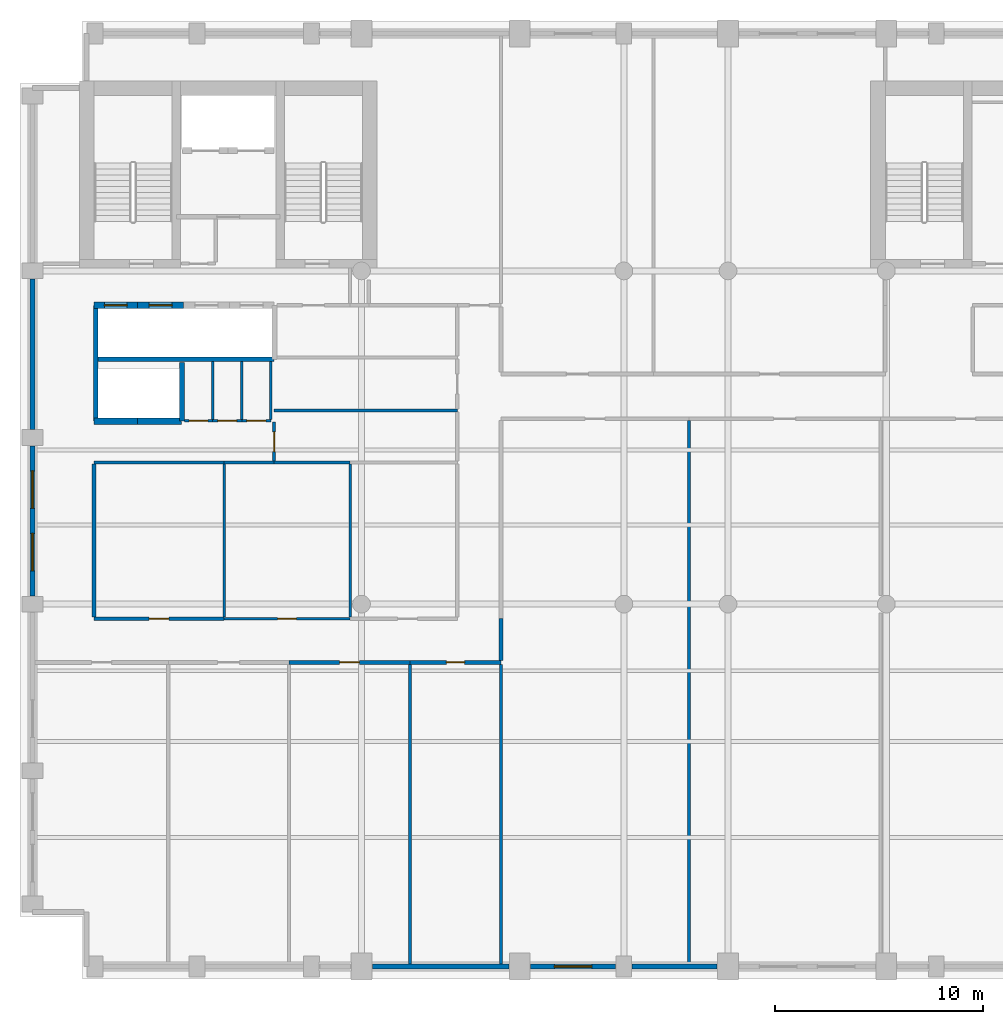
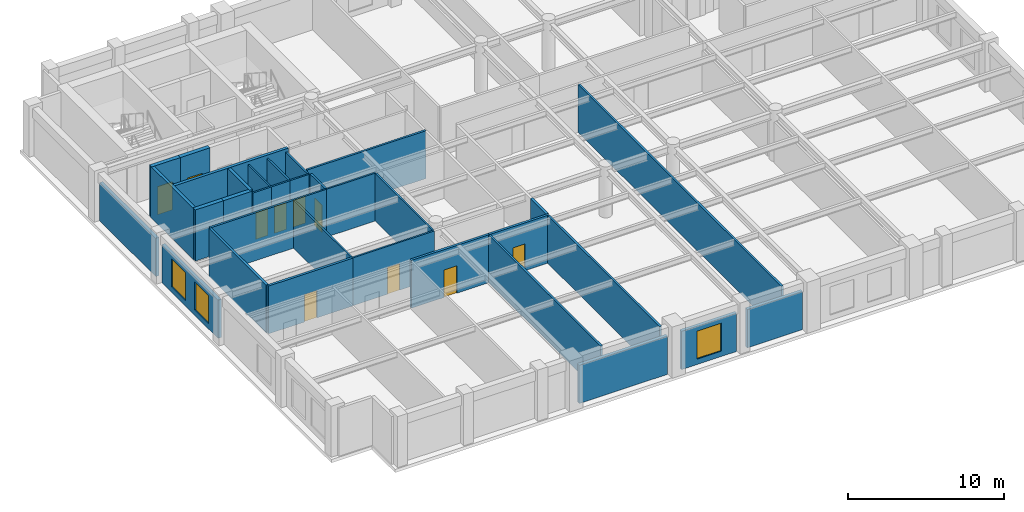
# One storey, part 3 of 8: 34 walls, 10 doors, 3 windows, 13 openings.
"""IFC4 building model written with IfcOpenShell, lengths in metres."""

import ifcopenshell
import ifcopenshell.guid

model = None  # the IFC model being written
_history = None  # IfcOwnerHistory: only IFC2X3 demands one
_inside = {}  # id of a spatial element -> (the spatial element, [elements in it])
_under = {}  # id of a project, library or spatial element -> (it, [spatial elements below it])
_declared = {}  # id of a project -> (the project, [libraries it declares])
_typed = {}  # id of a type object -> (the type object, [elements of that type])
_made_of = {}  # id of a material, layer set ... -> (it, [elements and type objects made of it])


def new_model(schema):
    """Start an empty IFC model of exactly this schema.

    Asked for "IFC4X3", IfcOpenShell would pick the latest addendum, in which some entities
    have other attributes; the version numbers below select the first issue.
    IFC2X3 requires an IfcOwnerHistory on every rooted entity: one is made here for all.
    """
    global model, _history
    if schema == "IFC4X3":
        model = ifcopenshell.file(schema_version=(4, 3, 0, 0))
    else:
        model = ifcopenshell.file(schema=schema)
    _inside.clear()
    _under.clear()
    _declared.clear()
    _typed.clear()
    _made_of.clear()
    _history = None
    if model.schema == "IFC2X3":
        org = make("IfcOrganization", Name="unknown")
        user = make(
            "IfcPersonAndOrganization",
            ThePerson=make("IfcPerson", FamilyName="unknown"),
            TheOrganization=org,
        )
        app = make(
            "IfcApplication",
            ApplicationDeveloper=org,
            Version="unknown",
            ApplicationFullName="unknown",
            ApplicationIdentifier="unknown",
        )
        _history = make(
            "IfcOwnerHistory",
            OwningUser=user,
            OwningApplication=app,
            ChangeAction="ADDED",
            CreationDate=0,
        )
    return model


def make(cls, **values):
    """One entity of the class cls with the attributes given. An attribute that is None is left unset."""
    return model.create_entity(
        cls, **{name: value for name, value in values.items() if value is not None}
    )


def rooted(cls, **values):
    """An entity with a GlobalId (a new one), such as an element, a storey or a relation."""
    return make(cls, GlobalId=ifcopenshell.guid.new(), OwnerHistory=_history, **values)


def si_unit(unit_type, name, prefix=None):
    """IfcSIUnit, for example si_unit("LENGTHUNIT", "METRE", prefix="MILLI")."""
    return make("IfcSIUnit", UnitType=unit_type, Prefix=prefix, Name=name)


def assignment(units):
    """IfcUnitAssignment: the units of a project."""
    return None if units is None else make("IfcUnitAssignment", Units=units)


def point(xyz):
    """IfcCartesianPoint."""
    return None if xyz is None else make("IfcCartesianPoint", Coordinates=xyz)


def direction(xyz):
    """IfcDirection."""
    return None if xyz is None else make("IfcDirection", DirectionRatios=xyz)


def frame(location, z_axis=None, x_axis=None):
    """IfcAxis2Placement3D, a coordinate frame: its origin and axes. An axis left out is left unset."""
    return make(
        "IfcAxis2Placement3D",
        Location=point(location),
        Axis=direction(z_axis),
        RefDirection=direction(x_axis),
    )


def frame_2d(location, x_axis=None):
    """IfcAxis2Placement2D, a coordinate frame in the plane: its origin and x axis."""
    return make(
        "IfcAxis2Placement2D", Location=point(location), RefDirection=direction(x_axis)
    )


def origin():
    """The frame at (0, 0, 0) with its axes left unset."""
    return frame((0.0, 0.0, 0.0))


def place(relative_to, where):
    """IfcLocalPlacement: puts the frame where relative to a parent placement (None: the world)."""
    return make(
        "IfcLocalPlacement", PlacementRelTo=relative_to, RelativePlacement=where
    )


def context(
    kind, dimensions, precision=None, world=None, true_north=None, identifier=None
):
    """IfcGeometricRepresentationContext, for example the 3D "Model" context."""
    return make(
        "IfcGeometricRepresentationContext",
        ContextIdentifier=identifier,
        ContextType=kind,
        CoordinateSpaceDimension=dimensions,
        Precision=precision,
        WorldCoordinateSystem=world,
        TrueNorth=true_north,
    )


def subcontext(parent, identifier, kind, view, scale=None):
    """IfcGeometricRepresentationSubContext, for example "Body" below "Model"."""
    return make(
        "IfcGeometricRepresentationSubContext",
        ContextIdentifier=identifier,
        ContextType=kind,
        ParentContext=parent,
        TargetScale=scale,
        TargetView=view,
    )


def project(units=None, contexts=None):
    """IfcProject with its units and contexts."""
    return rooted(
        "IfcProject",
        Name="project",
        RepresentationContexts=contexts,
        UnitsInContext=assignment(units),
    )


def spatial(cls, under=None, at=None, **own):
    """A site, building, storey or space (cls), placed at a placement, below another one or the project."""
    s = rooted(cls, ObjectPlacement=at, **own)
    if under is not None:
        _under.setdefault(under.id(), (under, []))[1].append(s)
    return s


def profile(cls, at=None, kind="AREA", **sizes):
    """A parametric profile (cls). Its sizes go by their IFC names, for example OverallWidth=200.0."""
    return make(cls, ProfileType=kind, Position=at, **sizes)


def rectangle(**sizes):
    """IfcRectangleProfileDef."""
    return profile("IfcRectangleProfileDef", **sizes)


def extrude(swept, where, along, depth):
    """IfcExtrudedAreaSolid: the profile swept, set in the frame where, extruded along a direction by depth."""
    return make(
        "IfcExtrudedAreaSolid",
        SweptArea=swept,
        Position=where,
        ExtrudedDirection=direction(along),
        Depth=depth,
    )


def shape(context_of_items, identifier, shape_type, items):
    """IfcShapeRepresentation: the items that make up one representation, for example the "Body"."""
    return make(
        "IfcShapeRepresentation",
        ContextOfItems=context_of_items,
        RepresentationIdentifier=identifier,
        RepresentationType=shape_type,
        Items=items,
    )


def material(Name=None, Category=None):
    """IfcMaterial."""
    return make("IfcMaterial", Name=Name, Category=Category)


def layer(
    of_material, thickness, ventilated=None, Name=None, Category=None, Priority=None
):
    """IfcMaterialLayer: one layer of a wall or slab, of a material (None: an air gap)."""
    return make(
        "IfcMaterialLayer",
        Material=of_material,
        LayerThickness=thickness,
        IsVentilated=ventilated,
        Name=Name,
        Category=Category,
        Priority=Priority,
    )


def layer_set(layers, Name=None):
    """IfcMaterialLayerSet."""
    return make("IfcMaterialLayerSet", MaterialLayers=layers, LayerSetName=Name)


def made_of(thing, what):
    """Note that an element or type object is made of a material, layer set ...; save() writes the relation."""
    if what is not None:
        _made_of.setdefault(what.id(), (what, []))[1].append(thing)
    return thing


def type_object(cls, material=None, **own):
    """A type object (cls), such as IfcWallType, which elements share."""
    return made_of(rooted(cls, **own), material)


def element(
    cls,
    number,
    at=None,
    inside=None,
    cuts=None,
    type_object=None,
    material=None,
    context=None,
    identifier="Body",
    shape_type=None,
    held_by="IfcProductDefinitionShape",
    body=None,
    shapes=None,
    **own,
):
    """One element of the class cls, such as IfcWall. Its Tag is "e" and its number.

    at: its placement. inside: the storey or other place that contains it. cuts: it is an
    opening in that element (IfcRelVoidsElement). A single representation is given by context,
    identifier, shape_type and body (its items); several are given by shapes. held_by: the class
    of the entity that holds the representations. save() writes the other relations.
    """
    e = rooted(cls, Tag="e%d" % number, ObjectPlacement=at, **own)
    if body is not None:
        shapes = [shape(context, identifier, shape_type, body)]
    if shapes is not None:
        e.Representation = make(held_by, Representations=shapes)
    if inside is not None:
        _inside.setdefault(inside.id(), (inside, []))[1].append(e)
    if cuts is not None:
        rooted(
            "IfcRelVoidsElement", RelatingBuildingElement=cuts, RelatedOpeningElement=e
        )
    if type_object is not None:
        _typed.setdefault(type_object.id(), (type_object, []))[1].append(e)
    return made_of(e, material)


def fill(opening, filler):
    """IfcRelFillsElement: the door or window that sits in an opening."""
    return rooted(
        "IfcRelFillsElement",
        RelatingOpeningElement=opening,
        RelatedBuildingElement=filler,
    )


def aggregate(whole, parts):
    """IfcRelAggregates: a whole, such as a stair, and the parts it consists of."""
    return rooted("IfcRelAggregates", RelatingObject=whole, RelatedObjects=parts)


def save(model, path):
    """Write the relations noted so far, then the file.

    IfcRelAggregates (storeys below a building ...), IfcRelContainedInSpatialStructure (elements
    in a storey), IfcRelDefinesByType, IfcRelAssociatesMaterial and IfcRelDeclares: one each for
    every whole, place, type object, material and project.
    """
    for whole, parts in _under.values():
        aggregate(whole, parts)
    for where, things in _inside.values():
        rooted(
            "IfcRelContainedInSpatialStructure",
            RelatedElements=things,
            RelatingStructure=where,
        )
    for kind, things in _typed.values():
        rooted("IfcRelDefinesByType", RelatedObjects=things, RelatingType=kind)
    for what, things in _made_of.values():
        rooted("IfcRelAssociatesMaterial", RelatedObjects=things, RelatingMaterial=what)
    for by, libraries in _declared.values():
        rooted("IfcRelDeclares", RelatingContext=by, RelatedDefinitions=libraries)
    model.write(path)


model = new_model("IFC4")

# Units and contexts
model_context = context("Model", 3, precision=1e-05, world=origin(), true_north=direction((0.0, 1.0)))
body_context = subcontext(model_context, "Body", "Model", "MODEL_VIEW")
ifc_project = project(units=[si_unit("LENGTHUNIT", "METRE"), si_unit("AREAUNIT", "SQUARE_METRE"), si_unit("VOLUMEUNIT", "CUBIC_METRE"), si_unit("PLANEANGLEUNIT", "RADIAN"), si_unit("MASSUNIT", "GRAM", prefix="KILO")], contexts=[model_context])

# Site, building, storey
site_placement = place(None, origin())
site = spatial("IfcSite", under=ifc_project, at=site_placement, CompositionType="ELEMENT")
building_placement = place(site_placement, origin())
building = spatial("IfcBuilding", under=site, at=building_placement, Name="Sulina Concourse Tower", CompositionType="ELEMENT")
storey_placement = place(building_placement, frame((0.0, 0.0, 248.60009765625)))
storey = spatial("IfcBuildingStorey", under=building, at=storey_placement, Name="L60", CompositionType="ELEMENT", Elevation=248.60009765625)

# Walls
ifc_material_1 = material(Name="Concrete C50/60", Category="concrete")
ifc_layer_1 = layer(ifc_material_1, 0.219970703125)
ifc_layer_set_1 = layer_set([ifc_layer_1], Name="Concrete C50/60")
wall_type_1 = type_object("IfcWallType", Name="Core Lift Hoistway Divider Wall 220mm", PredefinedType="SOLIDWALL", material=ifc_layer_set_1)
wall_1_placement = place(storey_placement, frame((3.550048828125, 29.75, 0.0), z_axis=(0.0, 0.0, 1.0), x_axis=(1.0, 0.0, 0.0)))
element("IfcWall", 1, at=wall_1_placement, inside=storey, type_object=wall_type_1, Name="L60 shaft divider wall HW-LP3-S", PredefinedType="SOLIDWALL", context=body_context, shape_type="SweptSolid", body=[
    extrude(rectangle(XDim=8.64990234375, YDim=0.219970703125, at=frame_2d((4.324951171875, 0.0))), origin(), (0.0, 0.0, 1.0), 4.0),
])
wall_2_placement = place(storey_placement, frame((3.6298828125, 26.800048828125, 0.0), z_axis=(0.0, 0.0, 1.0), x_axis=(0.0, 1.0, 0.0)))
element("IfcWall", 2, at=wall_2_placement, inside=storey, type_object=wall_type_1, Name="L60 shaft divider wall HW-LP3-W", PredefinedType="SOLIDWALL", context=body_context, shape_type="SweptSolid", body=[
    extrude(rectangle(XDim=5.550048828125, YDim=0.219970703125, at=frame_2d((2.77490234375, 0.0))), origin(), (0.0, 0.0, 1.0), 4.0),
])
wall_3_placement = place(storey_placement, frame((7.780029296875, 26.800048828125, 0.0), z_axis=(0.0, 0.0, 1.0), x_axis=(0.0, 1.0, 0.0)))
element("IfcWall", 3, at=wall_3_placement, inside=storey, type_object=wall_type_1, Name="L60 shaft divider wall HW-EXP-E", PredefinedType="SOLIDWALL", context=body_context, shape_type="SweptSolid", body=[
    extrude(rectangle(XDim=2.800048828125, YDim=0.219970703125, at=frame_2d((1.39990234375, 0.0))), origin(), (0.0, 0.0, 1.0), 4.0),
])

# Wall, opening, door
ifc_material_2 = material(Name="Concrete C50/60", Category="concrete")
ifc_layer_2 = layer(ifc_material_2, 0.300048828125)
ifc_layer_set_2 = layer_set([ifc_layer_2], Name="Concrete C50/60")
wall_type_2 = type_object("IfcWallType", Name="Core Lift Hoistway Wall 300mm", PredefinedType="SOLIDWALL", material=ifc_layer_set_2)
wall_4_placement = place(storey_placement, frame((3.550048828125, 32.35009765625, 0.0), z_axis=(0.0, 0.0, 1.0), x_axis=(1.0, 0.0, 0.0)))
wall_4 = element("IfcWall", 4, at=wall_4_placement, inside=storey, type_object=wall_type_2, Name="L60 hoistway enclosure wall LP-09", PredefinedType="SOLIDWALL", context=body_context, shape_type="SweptSolid", body=[
    extrude(rectangle(XDim=2.099853515625, YDim=0.300048828125, at=frame_2d((1.0498046875, 0.0))), origin(), (0.0, 0.0, 1.0), 4.0),
])
opening_1_placement = place(wall_4_placement, frame((0.5, 0.0, 0.0)))
opening_1 = element("IfcOpeningElement", 5, at=opening_1_placement, cuts=wall_4, Name="Opening LD-01", PredefinedType="OPENING", context=body_context, shape_type="SweptSolid", body=[
    extrude(rectangle(XDim=1.10009765625, YDim=2.199951171875, at=frame_2d((0.550048828125, 1.10009765625))), frame((0.0, 0.159912109375, 0.0), z_axis=(0.0, -1.0, 0.0), x_axis=(1.0, 0.0, 0.0)), (0.0, 0.0, 1.0), 0.320068359375),
])
ifc_material_3 = material(Name="Stainless steel lift landing door", Category="steel")
ifc_layer_3 = layer(ifc_material_3, 0.050048828125)
ifc_layer_set_3 = layer_set([ifc_layer_3], Name="Stainless steel lift landing door")
door_type_1 = type_object("IfcDoorType", Name="Passenger Lift Sliding Landing Door 1100x2200", OperationType="SLIDING_TO_LEFT", PredefinedType="DOOR", material=ifc_layer_set_3)
door_1_placement = place(opening_1_placement, origin())
door_1 = element("IfcDoor", 6, at=door_1_placement, inside=storey, type_object=door_type_1, Name="L60 lift landing sliding door LP-09", OperationType="SLIDING_TO_LEFT", OverallHeight=2.199951171875, OverallWidth=1.10009765625, PredefinedType="DOOR", context=body_context, shape_type="SweptSolid", body=[
    extrude(rectangle(XDim=1.10009765625, YDim=2.199951171875, at=frame_2d((0.550048828125, 1.10009765625))), frame((0.0, 0.02490234375, 0.0), z_axis=(0.0, -1.0, 0.0), x_axis=(1.0, 0.0, 0.0)), (0.0, 0.0, 1.0), 0.050048828125),
])
fill(opening_1, door_1)

wall_5_placement = place(storey_placement, frame((5.64990234375, 32.35009765625, 0.0), z_axis=(0.0, 0.0, 1.0), x_axis=(1.0, 0.0, 0.0)))
wall_5 = element("IfcWall", 7, at=wall_5_placement, inside=storey, type_object=wall_type_2, Name="L60 hoistway enclosure wall LP-10", PredefinedType="SOLIDWALL", context=body_context, shape_type="SweptSolid", body=[
    extrude(rectangle(XDim=2.2001953125, YDim=0.300048828125, at=frame_2d((1.10009765625, 0.0))), origin(), (0.0, 0.0, 1.0), 4.0),
])
opening_2_placement = place(wall_5_placement, frame((0.550048828125, 0.0, 0.0)))
opening_2 = element("IfcOpeningElement", 8, at=opening_2_placement, cuts=wall_5, Name="Opening LD-01", PredefinedType="OPENING", context=body_context, shape_type="SweptSolid", body=[
    extrude(rectangle(XDim=1.10009765625, YDim=2.199951171875, at=frame_2d((0.550048828125, 1.10009765625))), frame((0.0, 0.159912109375, 0.0), z_axis=(0.0, -1.0, 0.0), x_axis=(1.0, 0.0, 0.0)), (0.0, 0.0, 1.0), 0.320068359375),
])
door_2_placement = place(opening_2_placement, origin())
door_2 = element("IfcDoor", 9, at=door_2_placement, inside=storey, type_object=door_type_1, Name="L60 lift landing sliding door LP-10", OperationType="SLIDING_TO_RIGHT", OverallHeight=2.199951171875, OverallWidth=1.10009765625, PredefinedType="DOOR", context=body_context, shape_type="SweptSolid", body=[
    extrude(rectangle(XDim=1.10009765625, YDim=2.199951171875, at=frame_2d((0.550048828125, 1.10009765625))), frame((0.0, 0.02490234375, 0.0), z_axis=(0.0, -1.0, 0.0), x_axis=(1.0, 0.0, 0.0)), (0.0, 0.0, 1.0), 0.050048828125),
])
fill(opening_2, door_2)

# Walls
wall_6_placement = place(storey_placement, frame((5.64990234375, 26.780029296875, 0.0), z_axis=(0.0, 0.0, 1.0), x_axis=(-1.0, 0.0, 0.0)))
element("IfcWall", 10, at=wall_6_placement, inside=storey, type_object=wall_type_2, Name="L60 hoistway enclosure wall EXP-1", PredefinedType="SOLIDWALL", context=body_context, shape_type="SweptSolid", body=[
    extrude(rectangle(XDim=2.099853515625, YDim=0.300048828125, at=frame_2d((1.0498046875, 0.0))), origin(), (0.0, 0.0, 1.0), 4.0),
])
wall_7_placement = place(storey_placement, frame((7.75, 26.780029296875, 0.0), z_axis=(0.0, 0.0, 1.0), x_axis=(-1.0, 0.0, 0.0)))
element("IfcWall", 11, at=wall_7_placement, inside=storey, type_object=wall_type_2, Name="L60 hoistway enclosure wall EXP-2", PredefinedType="SOLIDWALL", context=body_context, shape_type="SweptSolid", body=[
    extrude(rectangle(XDim=2.10009765625, YDim=0.300048828125, at=frame_2d((1.050048828125, 0.0))), origin(), (0.0, 0.0, 1.0), 4.0),
])
ifc_material_4 = material(Name="Precast concrete C50/60", Category="concrete")
ifc_layer_4 = layer(ifc_material_4, 0.239990234375)
ifc_layer_set_4 = layer_set([ifc_layer_4], Name="Precast concrete C50/60")
wall_type_3 = type_object("IfcWallType", Name="Crown Precast Masonry-Frame Facade Wall 240mm", PredefinedType="SOLIDWALL", material=ifc_layer_set_4)
wall_8_placement = place(storey_placement, frame((23.47998046875, 0.60009765625, 0.0), z_axis=(0.0, 0.0, 1.0), x_axis=(-1.0, 0.0, 0.0)))
element("IfcWall", 12, at=wall_8_placement, inside=storey, type_object=wall_type_3, Name="L60 exterior precast wall S4", PredefinedType="SOLIDWALL", context=body_context, shape_type="SweptSolid", body=[
    extrude(rectangle(XDim=6.56005859375, YDim=0.239990234375, at=frame_2d((3.280029296875, 0.0))), origin(), (0.0, 0.0, 1.0), 3.0),
])

# Wall, opening, window
wall_9_placement = place(storey_placement, frame((28.60498046875, 0.60009765625, 0.0), z_axis=(0.0, 0.0, 1.0), x_axis=(-1.0, 0.0, 0.0)))
wall_9 = element("IfcWall", 13, at=wall_9_placement, inside=storey, type_object=wall_type_3, Name="L60 exterior precast wall S5", PredefinedType="SOLIDWALL", context=body_context, shape_type="SweptSolid", body=[
    extrude(rectangle(XDim=4.0849609375, YDim=0.239990234375, at=frame_2d((2.04248046875, 0.0))), origin(), (0.0, 0.0, 1.0), 3.0),
])
opening_3_placement = place(wall_9_placement, frame((1.142578125, 0.0, 0.419921875)))
opening_3 = element("IfcOpeningElement", 14, at=opening_3_placement, cuts=wall_9, Name="Opening WN-25", PredefinedType="OPENING", context=body_context, shape_type="SweptSolid", body=[
    extrude(rectangle(XDim=1.800048828125, YDim=2.199951171875, at=frame_2d((0.89990234375, 1.10009765625))), frame((0.0, 0.1298828125, 0.0), z_axis=(0.0, -1.0, 0.0), x_axis=(1.0, 0.0, 0.0)), (0.0, 0.0, 1.0), 0.260009765625),
])
ifc_material_5 = material(Name="Low-E solar double glazing in bronze aluminium", Category="aluminium")
window_type = type_object("IfcWindowType", Name="Punched Masonry-Frame Window 1800x2200", PartitioningType="SINGLE_PANEL", PredefinedType="WINDOW", material=ifc_material_5)
window_1_placement = place(opening_3_placement, origin())
window_1 = element("IfcWindow", 15, at=window_1_placement, inside=storey, type_object=window_type, Name="L60 punched window S5-1", OverallHeight=2.199951171875, OverallWidth=1.800048828125, PartitioningType="SINGLE_PANEL", PredefinedType="WINDOW", context=body_context, shape_type="SweptSolid", body=[
    extrude(rectangle(XDim=1.800048828125, YDim=2.199951171875, at=frame_2d((0.89990234375, 1.10009765625))), frame((0.0, 0.030029296875, 0.0), z_axis=(0.0, -1.0, 0.0), x_axis=(1.0, 0.0, 0.0)), (0.0, 0.0, 1.0), 0.06005859375),
])
fill(opening_3, window_1)

# Wall
wall_10_placement = place(storey_placement, frame((33.47998046875, 0.60009765625, 0.0), z_axis=(0.0, 0.0, 1.0), x_axis=(-1.0, 0.0, 0.0)))
element("IfcWall", 16, at=wall_10_placement, inside=storey, type_object=wall_type_3, Name="L60 exterior precast wall S6", PredefinedType="SOLIDWALL", context=body_context, shape_type="SweptSolid", body=[
    extrude(rectangle(XDim=4.0849609375, YDim=0.239990234375, at=frame_2d((2.04248046875, 0.0))), origin(), (0.0, 0.0, 1.0), 3.0),
])

# Wall, openings, windows
wall_11_placement = place(storey_placement, frame((0.60009765625, 18.39501953125, 0.0), z_axis=(0.0, 0.0, 1.0), x_axis=(0.0, 1.0, 0.0)))
wall_11 = element("IfcWall", 17, at=wall_11_placement, inside=storey, type_object=wall_type_3, Name="L60 exterior precast wall W3", PredefinedType="SOLIDWALL", context=body_context, shape_type="SweptSolid", body=[
    extrude(rectangle(XDim=7.2099609375, YDim=0.239990234375, at=frame_2d((3.60498046875, 0.0))), origin(), (0.0, 0.0, 1.0), 3.0),
])
opening_4_placement = place(wall_11_placement, frame((1.203369140625, 0.0, 0.419921875)))
opening_4 = element("IfcOpeningElement", 18, at=opening_4_placement, cuts=wall_11, Name="Opening WN-25", PredefinedType="OPENING", context=body_context, shape_type="SweptSolid", body=[
    extrude(rectangle(XDim=1.800048828125, YDim=2.199951171875, at=frame_2d((0.89990234375, 1.10009765625))), frame((0.0, 0.1298828125, 0.0), z_axis=(0.0, -1.0, 0.0), x_axis=(1.0, 0.0, 0.0)), (0.0, 0.0, 1.0), 0.260009765625),
])
opening_5_placement = place(wall_11_placement, frame((4.206787109375, 0.0, 0.419921875)))
opening_5 = element("IfcOpeningElement", 19, at=opening_5_placement, cuts=wall_11, Name="Opening WN-25", PredefinedType="OPENING", context=body_context, shape_type="SweptSolid", body=[
    extrude(rectangle(XDim=1.800048828125, YDim=2.199951171875, at=frame_2d((0.89990234375, 1.10009765625))), frame((0.0, 0.1298828125, 0.0), z_axis=(0.0, -1.0, 0.0), x_axis=(1.0, 0.0, 0.0)), (0.0, 0.0, 1.0), 0.260009765625),
])
window_2_placement = place(opening_4_placement, origin())
window_2 = element("IfcWindow", 20, at=window_2_placement, inside=storey, type_object=window_type, Name="L60 punched window W3-1", OverallHeight=2.199951171875, OverallWidth=1.800048828125, PartitioningType="SINGLE_PANEL", PredefinedType="WINDOW", context=body_context, shape_type="SweptSolid", body=[
    extrude(rectangle(XDim=1.800048828125, YDim=2.199951171875, at=frame_2d((0.89990234375, 1.10009765625))), frame((0.0, 0.030029296875, 0.0), z_axis=(0.0, -1.0, 0.0), x_axis=(1.0, 0.0, 0.0)), (0.0, 0.0, 1.0), 0.06005859375),
])
fill(opening_4, window_2)
window_3_placement = place(opening_5_placement, origin())
window_3 = element("IfcWindow", 21, at=window_3_placement, inside=storey, type_object=window_type, Name="L60 punched window W3-2", OverallHeight=2.199951171875, OverallWidth=1.800048828125, PartitioningType="SINGLE_PANEL", PredefinedType="WINDOW", context=body_context, shape_type="SweptSolid", body=[
    extrude(rectangle(XDim=1.800048828125, YDim=2.199951171875, at=frame_2d((0.89990234375, 1.10009765625))), frame((0.0, 0.030029296875, 0.0), z_axis=(0.0, -1.0, 0.0), x_axis=(1.0, 0.0, 0.0)), (0.0, 0.0, 1.0), 0.06005859375),
])
fill(opening_5, window_3)

# Walls
wall_12_placement = place(storey_placement, frame((0.60009765625, 26.39501953125, 0.0), z_axis=(0.0, 0.0, 1.0), x_axis=(0.0, 1.0, 0.0)))
element("IfcWall", 22, at=wall_12_placement, inside=storey, type_object=wall_type_3, Name="L60 exterior precast wall W4", PredefinedType="SOLIDWALL", context=body_context, shape_type="SweptSolid", body=[
    extrude(rectangle(XDim=7.2099609375, YDim=0.239990234375, at=frame_2d((3.60498046875, 0.0))), origin(), (0.0, 0.0, 1.0), 3.0),
])
ifc_material_6 = material(Name="Gypsum board on steel stud", Category="steel")
ifc_layer_5 = layer(ifc_material_6, 0.14990234375)
ifc_layer_set_5 = layer_set([ifc_layer_5], Name="Gypsum board on steel stud")
wall_type_4 = type_object("IfcWallType", Name="Inter-Tenancy Acoustic Partition 150mm", PredefinedType="PARTITIONING", material=ifc_layer_set_5)
wall_13_placement = place(storey_placement, frame((3.550048828125, 24.800048828125, 0.0), z_axis=(0.0, 0.0, 1.0), x_axis=(1.0, 0.0, 0.0)))
element("IfcWall", 23, at=wall_13_placement, inside=storey, type_object=wall_type_4, Name="L60 interior partition 008", PredefinedType="PARTITIONING", context=body_context, shape_type="SweptSolid", body=[
    extrude(rectangle(XDim=6.25, YDim=0.14990234375, at=frame_2d((3.125, 0.0))), origin(), (0.0, 0.0, 1.0), 3.75),
])
wall_14_placement = place(storey_placement, frame((12.199951171875, 27.300048828125, 0.0), z_axis=(0.0, 0.0, 1.0), x_axis=(1.0, 0.0, 0.0)))
element("IfcWall", 24, at=wall_14_placement, inside=storey, type_object=wall_type_4, Name="L60 interior partition 019", PredefinedType="PARTITIONING", context=body_context, shape_type="SweptSolid", body=[
    extrude(rectangle(XDim=8.800048828125, YDim=0.14990234375, at=frame_2d((4.39990234375, 0.0))), origin(), (0.0, 0.0, 1.0), 3.75),
])

# Wall, opening, door
wall_15_placement = place(storey_placement, frame((12.199951171875, 24.862548828125, 0.0), z_axis=(0.0, 0.0, 1.0), x_axis=(0.0, 1.0, 0.0)))
wall_15 = element("IfcWall", 25, at=wall_15_placement, inside=storey, type_object=wall_type_4, Name="L60 interior partition 041", PredefinedType="PARTITIONING", context=body_context, shape_type="SweptSolid", body=[
    extrude(rectangle(XDim=1.875, YDim=0.14990234375, at=frame_2d((0.9375, 0.0))), origin(), (0.0, 0.0, 1.0), 3.75),
])
opening_6_placement = place(wall_15_placement, frame((0.46240234375, 0.0, 0.0)))
opening_6 = element("IfcOpeningElement", 26, at=opening_6_placement, cuts=wall_15, Name="Opening DR-19", PredefinedType="OPENING", context=body_context, shape_type="SweptSolid", body=[
    extrude(rectangle(XDim=0.949951171875, YDim=2.14990234375, at=frame_2d((0.47509765625, 1.074951171875))), frame((0.0, 0.0849609375, 0.0), z_axis=(0.0, -1.0, 0.0), x_axis=(1.0, 0.0, 0.0)), (0.0, 0.0, 1.0), 0.169921875),
])
ifc_material_7 = material(Name="Oak-veneered acoustic timber leaf", Category="wood")
ifc_layer_6 = layer(ifc_material_7, 0.050048828125)
ifc_layer_set_6 = layer_set([ifc_layer_6], Name="Oak-veneered acoustic timber leaf")
door_type_2 = type_object("IfcDoorType", Name="Cellular Office & Meeting Door 950x2150", OperationType="NOTDEFINED", PredefinedType="DOOR", material=ifc_layer_set_6)
door_3_placement = place(opening_6_placement, origin())
door_3 = element("IfcDoor", 27, at=door_3_placement, inside=storey, type_object=door_type_2, Name="L60 interior door L60-MR-MRG1", OperationType="SINGLE_SWING_LEFT", OverallHeight=2.14990234375, OverallWidth=0.949951171875, PredefinedType="DOOR", context=body_context, shape_type="SweptSolid", body=[
    extrude(rectangle(XDim=0.949951171875, YDim=2.14990234375, at=frame_2d((0.47509765625, 1.074951171875))), frame((0.0, 0.02490234375, 0.0), z_axis=(0.0, -1.0, 0.0), x_axis=(1.0, 0.0, 0.0)), (0.0, 0.0, 1.0), 0.050048828125),
])
fill(opening_6, door_3)

# Walls
for number, where, z_axis, x_axis, name in (
    (28, (18.719970703125, 0.719970703125, 0.0), (0.0, 0.0, 1.0), (0.0, 1.0, 0.0), "L60 interior partition 046"),
    (29, (23.10009765625, 0.719970703125, 0.0), (0.0, 0.0, 1.0), (0.0, 1.0, 0.0), "L60 interior partition 051"),
):
    element("IfcWall", number, at=place(storey_placement, frame(where, z_axis=z_axis, x_axis=x_axis)), inside=storey, type_object=wall_type_4, Name=name, PredefinedType="PARTITIONING", context=body_context, shape_type="SweptSolid", body=[
        extrude(rectangle(XDim=14.39013671875, YDim=0.14990234375, at=frame_2d((7.195068359375, 0.0))), origin(), (0.0, 0.0, 1.0), 3.75),
    ])
wall_16_placement = place(storey_placement, frame((32.1201171875, 0.719970703125, 0.0), z_axis=(0.0, 0.0, 1.0), x_axis=(0.0, 1.0, 0.0)))
element("IfcWall", 30, at=wall_16_placement, inside=storey, type_object=wall_type_4, Name="L60 interior partition 057", PredefinedType="PARTITIONING", context=body_context, shape_type="SweptSolid", body=[
    extrude(rectangle(XDim=26.090087890625, YDim=0.14990234375, at=frame_2d((13.044921875, 0.0))), origin(), (0.0, 0.0, 1.0), 3.75),
])

# Wall, opening, door
ifc_material_8 = material(Name="Gypsum board on steel stud", Category="steel")
ifc_layer_7 = layer(ifc_material_8, 0.179931640625)
ifc_layer_set_7 = layer_set([ifc_layer_7], Name="Gypsum board on steel stud")
wall_type_5 = type_object("IfcWallType", Name="Protected Corridor & Riser Partition 180mm", PredefinedType="PARTITIONING", material=ifc_layer_set_7)
wall_17_placement = place(storey_placement, frame((12.919921875, 15.199951171875, 0.0), z_axis=(0.0, 0.0, 1.0), x_axis=(1.0, 0.0, 0.0)))
wall_17 = element("IfcWall", 31, at=wall_17_placement, inside=storey, type_object=wall_type_5, Name="L60 interior partition 003", PredefinedType="PARTITIONING", context=body_context, shape_type="SweptSolid", body=[
    extrude(rectangle(XDim=5.800048828125, YDim=0.179931640625, at=frame_2d((2.89990234375, 0.0))), origin(), (0.0, 0.0, 1.0), 3.75),
])
opening_7_placement = place(wall_17_placement, frame((2.425048828125, 0.0, 0.0)))
opening_7 = element("IfcOpeningElement", 32, at=opening_7_placement, cuts=wall_17, Name="Opening DR-19", PredefinedType="OPENING", context=body_context, shape_type="SweptSolid", body=[
    extrude(rectangle(XDim=0.949951171875, YDim=2.14990234375, at=frame_2d((0.47509765625, 1.074951171875))), frame((0.0, 0.099853515625, 0.0), z_axis=(0.0, -1.0, 0.0), x_axis=(1.0, 0.0, 0.0)), (0.0, 0.0, 1.0), 0.199951171875),
])
door_4_placement = place(opening_7_placement, origin())
door_4 = element("IfcDoor", 33, at=door_4_placement, inside=storey, type_object=door_type_2, Name="L60 interior door L60-S03", OperationType="SINGLE_SWING_LEFT", OverallHeight=2.14990234375, OverallWidth=0.949951171875, PredefinedType="DOOR", context=body_context, shape_type="SweptSolid", body=[
    extrude(rectangle(XDim=0.949951171875, YDim=2.14990234375, at=frame_2d((0.47509765625, 1.074951171875))), frame((0.0, 0.02490234375, 0.0), z_axis=(0.0, -1.0, 0.0), x_axis=(1.0, 0.0, 0.0)), (0.0, 0.0, 1.0), 0.050048828125),
])
fill(opening_7, door_4)

wall_18_placement = place(storey_placement, frame((18.719970703125, 15.199951171875, 0.0), z_axis=(0.0, 0.0, 1.0), x_axis=(1.0, 0.0, 0.0)))
wall_18 = element("IfcWall", 34, at=wall_18_placement, inside=storey, type_object=wall_type_5, Name="L60 interior partition 004", PredefinedType="PARTITIONING", context=body_context, shape_type="SweptSolid", body=[
    extrude(rectangle(XDim=4.380126953125, YDim=0.179931640625, at=frame_2d((2.18994140625, 0.0))), origin(), (0.0, 0.0, 1.0), 3.75),
])
opening_8_placement = place(wall_18_placement, frame((1.75, 0.0, 0.0)))
opening_8 = element("IfcOpeningElement", 35, at=opening_8_placement, cuts=wall_18, Name="Opening DR-38", PredefinedType="OPENING", context=body_context, shape_type="SweptSolid", body=[
    extrude(rectangle(XDim=0.8798828125, YDim=2.10009765625, at=frame_2d((0.43994140625, 1.050048828125))), frame((0.0, 0.099853515625, 0.0), z_axis=(0.0, -1.0, 0.0), x_axis=(1.0, 0.0, 0.0)), (0.0, 0.0, 1.0), 0.199951171875),
])
ifc_material_9 = material(Name="Galvanised steel acoustic fire leaf", Category="steel")
ifc_layer_8 = layer(ifc_material_9, 0.050048828125)
ifc_layer_set_8 = layer_set([ifc_layer_8], Name="Galvanised steel acoustic fire leaf")
door_type_3 = type_object("IfcDoorType", Name="Service Riser Fire Door 880x2100", OperationType="NOTDEFINED", PredefinedType="DOOR", material=ifc_layer_set_8)
door_5_placement = place(opening_8_placement, origin())
door_5 = element("IfcDoor", 36, at=door_5_placement, inside=storey, type_object=door_type_3, Name="L60 interior door L60-S04", OperationType="SINGLE_SWING_RIGHT", OverallHeight=2.10009765625, OverallWidth=0.8798828125, PredefinedType="DOOR", context=body_context, shape_type="SweptSolid", body=[
    extrude(rectangle(XDim=0.8798828125, YDim=2.10009765625, at=frame_2d((0.43994140625, 1.050048828125))), frame((0.0, 0.02490234375, 0.0), z_axis=(0.0, -1.0, 0.0), x_axis=(1.0, 0.0, 0.0)), (0.0, 0.0, 1.0), 0.050048828125),
])
fill(opening_8, door_5)

wall_19_placement = place(storey_placement, frame((3.550048828125, 17.300048828125, 0.0), z_axis=(0.0, 0.0, 1.0), x_axis=(1.0, 0.0, 0.0)))
wall_19 = element("IfcWall", 37, at=wall_19_placement, inside=storey, type_object=wall_type_5, Name="L60 interior partition 005", PredefinedType="PARTITIONING", context=body_context, shape_type="SweptSolid", body=[
    extrude(rectangle(XDim=6.25, YDim=0.179931640625, at=frame_2d((3.125, 0.0))), origin(), (0.0, 0.0, 1.0), 3.75),
])
opening_9_placement = place(wall_19_placement, frame((2.64990234375, 0.0, 0.0)))
opening_9 = element("IfcOpeningElement", 38, at=opening_9_placement, cuts=wall_19, Name="Opening DR-19", PredefinedType="OPENING", context=body_context, shape_type="SweptSolid", body=[
    extrude(rectangle(XDim=0.949951171875, YDim=2.14990234375, at=frame_2d((0.47509765625, 1.074951171875))), frame((0.0, 0.099853515625, 0.0), z_axis=(0.0, -1.0, 0.0), x_axis=(1.0, 0.0, 0.0)), (0.0, 0.0, 1.0), 0.199951171875),
])
door_6_placement = place(opening_9_placement, origin())
door_6 = element("IfcDoor", 39, at=door_6_placement, inside=storey, type_object=door_type_2, Name="L60 interior door L60-LR-MRG1", OperationType="SINGLE_SWING_LEFT", OverallHeight=2.14990234375, OverallWidth=0.949951171875, PredefinedType="DOOR", context=body_context, shape_type="SweptSolid", body=[
    extrude(rectangle(XDim=0.949951171875, YDim=2.14990234375, at=frame_2d((0.47509765625, 1.074951171875))), frame((0.0, 0.02490234375, 0.0), z_axis=(0.0, -1.0, 0.0), x_axis=(1.0, 0.0, 0.0)), (0.0, 0.0, 1.0), 0.050048828125),
])
fill(opening_9, door_6)

# Walls
wall_20_placement = place(storey_placement, frame((3.550048828125, 17.389892578125, 0.0), z_axis=(0.0, 0.0, 1.0), x_axis=(0.0, 1.0, 0.0)))
element("IfcWall", 40, at=wall_20_placement, inside=storey, type_object=wall_type_5, Name="L60 interior partition 034", PredefinedType="PARTITIONING", context=body_context, shape_type="SweptSolid", body=[
    extrude(rectangle(XDim=7.335205078125, YDim=0.179931640625, at=frame_2d((3.66748046875, 0.0))), origin(), (0.0, 0.0, 1.0), 3.75),
])
wall_21_placement = place(storey_placement, frame((23.10009765625, 15.2900390625, 0.0), z_axis=(0.0, 0.0, 1.0), x_axis=(0.0, 1.0, 0.0)))
element("IfcWall", 41, at=wall_21_placement, inside=storey, type_object=wall_type_5, Name="L60 interior partition 052", PredefinedType="PARTITIONING", context=body_context, shape_type="SweptSolid", body=[
    extrude(rectangle(XDim=2.010009765625, YDim=0.179931640625, at=frame_2d((1.0048828125, 0.0))), origin(), (0.0, 0.0, 1.0), 3.75),
])

# Wall, opening, door
ifc_material_10 = material(Name="Gypsum board on steel stud", Category="steel")
ifc_layer_9 = layer(ifc_material_10, 0.125)
ifc_layer_set_9 = layer_set([ifc_layer_9], Name="Gypsum board on steel stud")
wall_type_6 = type_object("IfcWallType", Name="Wet-Area Moisture-Resistant Partition 125mm", PredefinedType="PARTITIONING", material=ifc_layer_set_9)
wall_22_placement = place(storey_placement, frame((9.800048828125, 17.300048828125, 0.0), z_axis=(0.0, 0.0, 1.0), x_axis=(1.0, 0.0, 0.0)))
wall_22 = element("IfcWall", 42, at=wall_22_placement, inside=storey, type_object=wall_type_6, Name="L60 interior partition 006", PredefinedType="PARTITIONING", context=body_context, shape_type="SweptSolid", body=[
    extrude(rectangle(XDim=6.050048828125, YDim=0.125, at=frame_2d((3.02490234375, 0.0))), origin(), (0.0, 0.0, 1.0), 3.75),
])
opening_10_placement = place(wall_22_placement, frame((2.574951171875, 0.0, 0.0)))
opening_10 = element("IfcOpeningElement", 43, at=opening_10_placement, cuts=wall_22, Name="Opening DR-21", PredefinedType="OPENING", context=body_context, shape_type="SweptSolid", body=[
    extrude(rectangle(XDim=0.89990234375, YDim=2.10009765625, at=frame_2d((0.449951171875, 1.050048828125))), frame((0.0, 0.072509765625, 0.0), z_axis=(0.0, -1.0, 0.0), x_axis=(1.0, 0.0, 0.0)), (0.0, 0.0, 1.0), 0.14501953125),
])
ifc_material_11 = material(Name="Oak-veneered fire door leaf")
ifc_layer_10 = layer(ifc_material_11, 0.050048828125)
ifc_layer_set_10 = layer_set([ifc_layer_10], Name="Oak-veneered fire door leaf")
door_type_4 = type_object("IfcDoorType", Name="Restroom & Service Door 900x2100", OperationType="NOTDEFINED", PredefinedType="DOOR", material=ifc_layer_set_10)
door_7_placement = place(opening_10_placement, origin())
door_7 = element("IfcDoor", 44, at=door_7_placement, inside=storey, type_object=door_type_4, Name="L60 interior door L60-LR-MRG2", OperationType="SINGLE_SWING_RIGHT", OverallHeight=2.10009765625, OverallWidth=0.89990234375, PredefinedType="DOOR", context=body_context, shape_type="SweptSolid", body=[
    extrude(rectangle(XDim=0.89990234375, YDim=2.10009765625, at=frame_2d((0.449951171875, 1.050048828125))), frame((0.0, 0.02490234375, 0.0), z_axis=(0.0, -1.0, 0.0), x_axis=(1.0, 0.0, 0.0)), (0.0, 0.0, 1.0), 0.050048828125),
])
fill(opening_10, door_7)

# Walls
wall_23_placement = place(storey_placement, frame((9.800048828125, 24.800048828125, 0.0), z_axis=(0.0, 0.0, 1.0), x_axis=(1.0, 0.0, 0.0)))
element("IfcWall", 45, at=wall_23_placement, inside=storey, type_object=wall_type_6, Name="L60 interior partition 009", PredefinedType="PARTITIONING", context=body_context, shape_type="SweptSolid", body=[
    extrude(rectangle(XDim=2.39990234375, YDim=0.125, at=frame_2d((1.199951171875, 0.0))), origin(), (0.0, 0.0, 1.0), 3.75),
])
wall_24_placement = place(storey_placement, frame((12.199951171875, 24.800048828125, 0.0), z_axis=(0.0, 0.0, 1.0), x_axis=(1.0, 0.0, 0.0)))
element("IfcWall", 46, at=wall_24_placement, inside=storey, type_object=wall_type_6, Name="L60 interior partition 010", PredefinedType="PARTITIONING", context=body_context, shape_type="SweptSolid", body=[
    extrude(rectangle(XDim=3.650146484375, YDim=0.125, at=frame_2d((1.8251953125, 0.0))), origin(), (0.0, 0.0, 1.0), 3.75),
])

# Wall, opening, door
wall_25_placement = place(storey_placement, frame((7.889892578125, 26.800048828125, 0.0), z_axis=(0.0, 0.0, 1.0), x_axis=(1.0, 0.0, 0.0)))
wall_25 = element("IfcWall", 47, at=wall_25_placement, inside=storey, type_object=wall_type_6, Name="L60 interior partition 012", PredefinedType="PARTITIONING", context=body_context, shape_type="SweptSolid", body=[
    extrude(rectangle(XDim=1.360107421875, YDim=0.125, at=frame_2d((0.68017578125, 0.0))), origin(), (0.0, 0.0, 1.0), 3.75),
])
opening_11_placement = place(wall_25_placement, frame((0.22998046875, 0.0, 0.0)))
opening_11 = element("IfcOpeningElement", 48, at=opening_11_placement, cuts=wall_25, Name="Opening DR-21", PredefinedType="OPENING", context=body_context, shape_type="SweptSolid", body=[
    extrude(rectangle(XDim=0.89990234375, YDim=2.10009765625, at=frame_2d((0.449951171875, 1.050048828125))), frame((0.0, 0.072509765625, 0.0), z_axis=(0.0, -1.0, 0.0), x_axis=(1.0, 0.0, 0.0)), (0.0, 0.0, 1.0), 0.14501953125),
])
door_8_placement = place(opening_11_placement, origin())
door_8 = element("IfcDoor", 49, at=door_8_placement, inside=storey, type_object=door_type_4, Name="L60 interior door L60-WC-M", OperationType="SINGLE_SWING_RIGHT", OverallHeight=2.10009765625, OverallWidth=0.89990234375, PredefinedType="DOOR", context=body_context, shape_type="SweptSolid", body=[
    extrude(rectangle(XDim=0.89990234375, YDim=2.10009765625, at=frame_2d((0.449951171875, 1.050048828125))), frame((0.0, 0.02490234375, 0.0), z_axis=(0.0, -1.0, 0.0), x_axis=(1.0, 0.0, 0.0)), (0.0, 0.0, 1.0), 0.050048828125),
])
fill(opening_11, door_8)

wall_26_placement = place(storey_placement, frame((9.25, 26.800048828125, 0.0), z_axis=(0.0, 0.0, 1.0), x_axis=(1.0, 0.0, 0.0)))
wall_26 = element("IfcWall", 50, at=wall_26_placement, inside=storey, type_object=wall_type_6, Name="L60 interior partition 013", PredefinedType="PARTITIONING", context=body_context, shape_type="SweptSolid", body=[
    extrude(rectangle(XDim=1.39990234375, YDim=0.125, at=frame_2d((0.699951171875, 0.0))), origin(), (0.0, 0.0, 1.0), 3.75),
])
opening_12_placement = place(wall_26_placement, frame((0.25, 0.0, 0.0)))
opening_12 = element("IfcOpeningElement", 51, at=opening_12_placement, cuts=wall_26, Name="Opening DR-21", PredefinedType="OPENING", context=body_context, shape_type="SweptSolid", body=[
    extrude(rectangle(XDim=0.89990234375, YDim=2.10009765625, at=frame_2d((0.449951171875, 1.050048828125))), frame((0.0, 0.072509765625, 0.0), z_axis=(0.0, -1.0, 0.0), x_axis=(1.0, 0.0, 0.0)), (0.0, 0.0, 1.0), 0.14501953125),
])
door_9_placement = place(opening_12_placement, origin())
door_9 = element("IfcDoor", 52, at=door_9_placement, inside=storey, type_object=door_type_4, Name="L60 interior door L60-WC-F", OperationType="SINGLE_SWING_LEFT", OverallHeight=2.10009765625, OverallWidth=0.89990234375, PredefinedType="DOOR", context=body_context, shape_type="SweptSolid", body=[
    extrude(rectangle(XDim=0.89990234375, YDim=2.10009765625, at=frame_2d((0.449951171875, 1.050048828125))), frame((0.0, 0.02490234375, 0.0), z_axis=(0.0, -1.0, 0.0), x_axis=(1.0, 0.0, 0.0)), (0.0, 0.0, 1.0), 0.050048828125),
])
fill(opening_12, door_9)

wall_27_placement = place(storey_placement, frame((10.64990234375, 26.800048828125, 0.0), z_axis=(0.0, 0.0, 1.0), x_axis=(1.0, 0.0, 0.0)))
wall_27 = element("IfcWall", 53, at=wall_27_placement, inside=storey, type_object=wall_type_6, Name="L60 interior partition 014", PredefinedType="PARTITIONING", context=body_context, shape_type="SweptSolid", body=[
    extrude(rectangle(XDim=1.400146484375, YDim=0.125, at=frame_2d((0.7001953125, 0.0))), origin(), (0.0, 0.0, 1.0), 3.75),
])
opening_13_placement = place(wall_27_placement, frame((0.239990234375, 0.0, 0.0)))
opening_13 = element("IfcOpeningElement", 54, at=opening_13_placement, cuts=wall_27, Name="Opening DR-61", PredefinedType="OPENING", context=body_context, shape_type="SweptSolid", body=[
    extrude(rectangle(XDim=0.919921875, YDim=2.10009765625, at=frame_2d((0.4599609375, 1.050048828125))), frame((0.0, 0.072509765625, 0.0), z_axis=(0.0, -1.0, 0.0), x_axis=(1.0, 0.0, 0.0)), (0.0, 0.0, 1.0), 0.14501953125),
])
ifc_material_12 = material(Name="Oak-veneered fire door leaf")
ifc_layer_11 = layer(ifc_material_12, 0.050048828125)
ifc_layer_set_11 = layer_set([ifc_layer_11], Name="Oak-veneered fire door leaf")
door_type_5 = type_object("IfcDoorType", Name="Accessible WC Door 920x2100", OperationType="NOTDEFINED", PredefinedType="DOOR", material=ifc_layer_set_11)
door_10_placement = place(opening_13_placement, origin())
door_10 = element("IfcDoor", 55, at=door_10_placement, inside=storey, type_object=door_type_5, Name="L60 interior door L60-WC-ACC", OperationType="SINGLE_SWING_RIGHT", OverallHeight=2.10009765625, OverallWidth=0.919921875, PredefinedType="DOOR", context=body_context, shape_type="SweptSolid", body=[
    extrude(rectangle(XDim=0.919921875, YDim=2.10009765625, at=frame_2d((0.4599609375, 1.050048828125))), frame((0.0, 0.02490234375, 0.0), z_axis=(0.0, -1.0, 0.0), x_axis=(1.0, 0.0, 0.0)), (0.0, 0.0, 1.0), 0.050048828125),
])
fill(opening_13, door_10)

# Walls
wall_28_placement = place(storey_placement, frame((9.25, 26.862548828125, 0.0), z_axis=(0.0, 0.0, 1.0), x_axis=(0.0, 1.0, 0.0)))
element("IfcWall", 56, at=wall_28_placement, inside=storey, type_object=wall_type_6, Name="L60 interior partition 036", PredefinedType="PARTITIONING", context=body_context, shape_type="SweptSolid", body=[
    extrude(rectangle(XDim=2.77734375, YDim=0.125, at=frame_2d((1.388671875, 0.0))), origin(), (0.0, 0.0, 1.0), 3.75),
])
wall_29_placement = place(storey_placement, frame((9.800048828125, 17.389892578125, 0.0), z_axis=(0.0, 0.0, 1.0), x_axis=(0.0, 1.0, 0.0)))
element("IfcWall", 57, at=wall_29_placement, inside=storey, type_object=wall_type_6, Name="L60 interior partition 038", PredefinedType="PARTITIONING", context=body_context, shape_type="SweptSolid", body=[
    extrude(rectangle(XDim=7.335205078125, YDim=0.125, at=frame_2d((3.66748046875, 0.0))), origin(), (0.0, 0.0, 1.0), 3.75),
])
for number, where, z_axis, x_axis, name in (
    (58, (10.64990234375, 26.862548828125, 0.0), (0.0, 0.0, 1.0), (0.0, 1.0, 0.0), "L60 interior partition 039"),
    (59, (12.050048828125, 26.862548828125, 0.0), (0.0, 0.0, 1.0), (0.0, 1.0, 0.0), "L60 interior partition 040"),
):
    element("IfcWall", number, at=place(storey_placement, frame(where, z_axis=z_axis, x_axis=x_axis)), inside=storey, type_object=wall_type_6, Name=name, PredefinedType="PARTITIONING", context=body_context, shape_type="SweptSolid", body=[
        extrude(rectangle(XDim=2.77734375, YDim=0.125, at=frame_2d((1.388671875, 0.0))), origin(), (0.0, 0.0, 1.0), 3.75),
    ])
wall_30_placement = place(storey_placement, frame((15.85009765625, 17.389892578125, 0.0), z_axis=(0.0, 0.0, 1.0), x_axis=(0.0, 1.0, 0.0)))
element("IfcWall", 60, at=wall_30_placement, inside=storey, type_object=wall_type_6, Name="L60 interior partition 043", PredefinedType="PARTITIONING", context=body_context, shape_type="SweptSolid", body=[
    extrude(rectangle(XDim=7.335205078125, YDim=0.125, at=frame_2d((3.66748046875, 0.0))), origin(), (0.0, 0.0, 1.0), 3.75),
])

save(model, "model.ifc")
